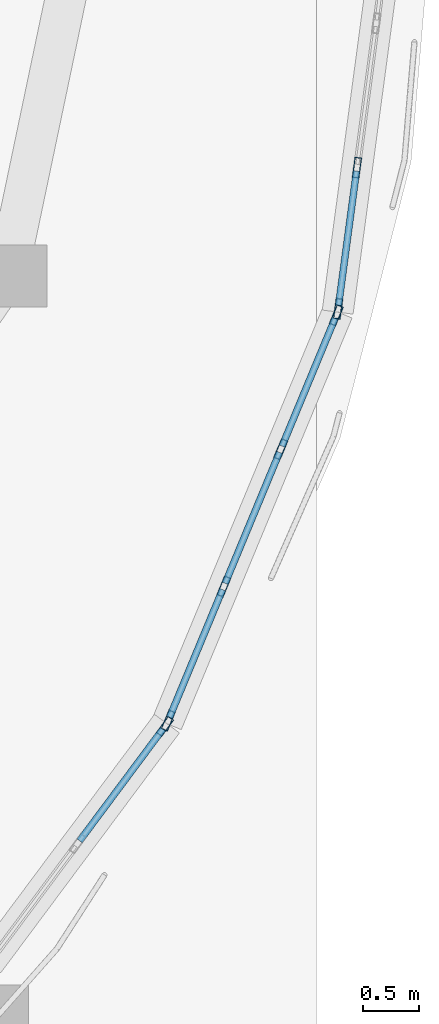
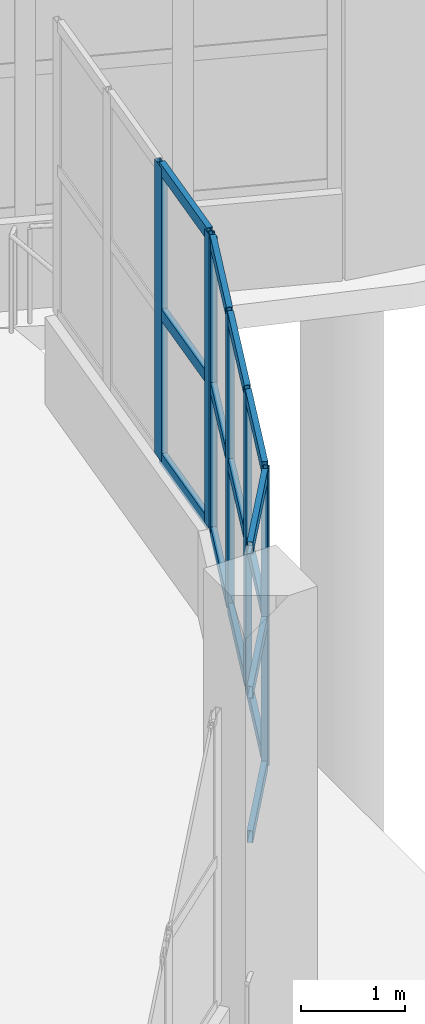
# One storey, part 22 of 96: 22 members, 3 elements without a shape of their own.
"""IFC4 building model written with IfcOpenShell, lengths in metres."""

from ifc_helpers import new_model, si_unit, direction, frame, origin, origin_2d, place, context, subcontext, project, spatial, hollow_rectangle, extrude, material, layer, layer_set, material_profile, profile_set, type_object, element, aggregate, save


model = new_model("IFC4")

# Units and contexts
model_context = context("Model", 3, precision=1e-05, world=origin(), true_north=direction((0.0, 1.0)))
body_context = subcontext(model_context, "Body", "Model", "MODEL_VIEW")
ifc_project = project(units=[si_unit("LENGTHUNIT", "METRE"), si_unit("AREAUNIT", "SQUARE_METRE"), si_unit("VOLUMEUNIT", "CUBIC_METRE"), si_unit("PLANEANGLEUNIT", "RADIAN"), si_unit("MASSUNIT", "GRAM", prefix="KILO")], contexts=[model_context])

# Site, building, storey
site_placement = place(None, origin())
site = spatial("IfcSite", under=ifc_project, at=site_placement, CompositionType="ELEMENT")
building_placement = place(site_placement, origin())
building = spatial("IfcBuilding", under=site, at=building_placement, Name="Pelvatis Terrace Science Centre", CompositionType="ELEMENT")
storey_placement = place(building_placement, origin())
storey = spatial("IfcBuildingStorey", under=building, at=storey_placement, Name="L00", CompositionType="ELEMENT", Elevation=0.0)

# Curtain wall, member
ifc_material_1 = material(Name="Bronze-anodised aluminium and laminated glass", Category="aluminium")
ifc_layer = layer(ifc_material_1, 0.179931640625)
ifc_layer_set = layer_set([ifc_layer], Name="Bronze-anodised aluminium and laminated glass")
curtain_wall_type = type_object("IfcCurtainWallType", Name="CW-RIBBON-A", PredefinedType="NOTDEFINED", material=ifc_layer_set)
curtain_wall_1_placement = place(storey_placement, origin())
curtain_wall_1 = element("IfcCurtainWall", 1, at=curtain_wall_1_placement, inside=storey, type_object=curtain_wall_type, Name="Ribbon curtain wall CW-019 (L00)", PredefinedType="NOTDEFINED")
ifc_material_2 = material(Name="Bronze-anodised aluminium 6063-T6", Category="aluminium")
ifc_material_profile_1 = material_profile(ifc_material_2, hollow_rectangle(XDim=0.06005859375, YDim=0.179931640625, WallThickness=0.00390625, at=origin_2d()), Name="ALU-MUL 60x180")
ifc_profile_set_1 = profile_set([ifc_material_profile_1], Name="Bronze-anodised aluminium 6063-T6")
member_type_1 = type_object("IfcMemberType", Name="CWM-60x180", PredefinedType="MULLION", material=ifc_profile_set_1)
member_1_placement = place(storey_placement, frame((64.0068359375, 26.69140625, 1.02001953125), z_axis=(0.0, 0.0, 1.0), x_axis=(-0.801975755954, 0.597356582672, 0.0)))
member_1 = element("IfcMember", 2, at=member_1_placement, type_object=member_type_1, Name="CW-019 mullion 3", PredefinedType="MULLION", context=body_context, shape_type="SweptSolid", body=[
    extrude(hollow_rectangle(XDim=0.06005859375, YDim=0.179931640625, WallThickness=0.00390625, at=origin_2d()), origin(), (0.0, 0.0, 1.0), 3.43994140625),
])

# Curtain wall, members
curtain_wall_2_placement = place(storey_placement, origin())
curtain_wall_2 = element("IfcCurtainWall", 3, at=curtain_wall_2_placement, inside=storey, type_object=curtain_wall_type, Name="Ribbon curtain wall CW-020 (L00)", PredefinedType="NOTDEFINED")
member_2_placement = place(storey_placement, frame((64.036376953125, 26.7431640625, 1.02001953125), z_axis=(0.0, 0.0, 1.0), x_axis=(-0.923675421158, 0.383175829546, 0.0)))
member_2 = element("IfcMember", 4, at=member_2_placement, type_object=member_type_1, Name="CW-020 mullion 1", PredefinedType="MULLION", context=body_context, shape_type="SweptSolid", body=[
    extrude(hollow_rectangle(XDim=0.06005859375, YDim=0.179931640625, WallThickness=0.00390625, at=origin_2d()), origin(), (0.0, 0.0, 1.0), 3.43994140625),
])
member_3_placement = place(storey_placement, frame((64.529052734375, 27.930908203125, 1.02001953125), z_axis=(0.0, 0.0, 1.0), x_axis=(-0.923675421158, 0.383175829546, 0.0)))
member_3 = element("IfcMember", 5, at=member_3_placement, type_object=member_type_1, Name="CW-020 mullion 2", PredefinedType="MULLION", context=body_context, shape_type="SweptSolid", body=[
    extrude(hollow_rectangle(XDim=0.06005859375, YDim=0.179931640625, WallThickness=0.00390625, at=origin_2d()), origin(), (0.0, 0.0, 1.0), 3.43994140625),
])
member_4_placement = place(storey_placement, frame((65.033203125, 29.146240234375, 1.02001953125), z_axis=(0.0, 0.0, 1.0), x_axis=(-0.923675421158, 0.383175829546, 0.0)))
member_4 = element("IfcMember", 6, at=member_4_placement, type_object=member_type_1, Name="CW-020 mullion 3", PredefinedType="MULLION", context=body_context, shape_type="SweptSolid", body=[
    extrude(hollow_rectangle(XDim=0.06005859375, YDim=0.179931640625, WallThickness=0.00390625, at=origin_2d()), origin(), (0.0, 0.0, 1.0), 3.43994140625),
])
member_5_placement = place(storey_placement, frame((65.52587890625, 30.333740234375, 1.02001953125), z_axis=(0.0, 0.0, 1.0), x_axis=(-0.923675421158, 0.383175829546, 0.0)))
member_5 = element("IfcMember", 7, at=member_5_placement, type_object=member_type_1, Name="CW-020 mullion 4", PredefinedType="MULLION", context=body_context, shape_type="SweptSolid", body=[
    extrude(hollow_rectangle(XDim=0.06005859375, YDim=0.179931640625, WallThickness=0.00390625, at=origin_2d()), origin(), (0.0, 0.0, 1.0), 3.43994140625),
])

curtain_wall_3_placement = place(storey_placement, origin())
curtain_wall_3 = element("IfcCurtainWall", 8, at=curtain_wall_3_placement, inside=storey, type_object=curtain_wall_type, Name="Ribbon curtain wall CW-021 (L00)", PredefinedType="NOTDEFINED")
member_6_placement = place(storey_placement, frame((65.541259765625, 30.391357421875, 1.02001953125), z_axis=(0.0, 0.0, 1.0), x_axis=(-0.991197428615, 0.132392059832, 0.0)))
member_6 = element("IfcMember", 9, at=member_6_placement, type_object=member_type_1, Name="CW-021 mullion 1", PredefinedType="MULLION", context=body_context, shape_type="SweptSolid", body=[
    extrude(hollow_rectangle(XDim=0.06005859375, YDim=0.179931640625, WallThickness=0.00390625, at=origin_2d()), origin(), (0.0, 0.0, 1.0), 3.43994140625),
])
member_7_placement = place(storey_placement, frame((65.708251953125, 31.64111328125, 1.02001953125), z_axis=(0.0, 0.0, 1.0), x_axis=(-0.991197428615, 0.132392059832, 0.0)))
member_7 = element("IfcMember", 10, at=member_7_placement, type_object=member_type_1, Name="CW-021 mullion 2", PredefinedType="MULLION", context=body_context, shape_type="SweptSolid", body=[
    extrude(hollow_rectangle(XDim=0.06005859375, YDim=0.179931640625, WallThickness=0.00390625, at=origin_2d()), origin(), (0.0, 0.0, 1.0), 3.43994140625),
])

# Member
ifc_material_3 = material(Name="Bronze-anodised aluminium 6063-T6", Category="aluminium")
ifc_material_profile_2 = material_profile(ifc_material_3, hollow_rectangle(XDim=0.06005859375, YDim=0.139892578125, WallThickness=0.00390625, at=origin_2d()), Name="ALU-TRN 60x140")
ifc_profile_set_2 = profile_set([ifc_material_profile_2], Name="Bronze-anodised aluminium 6063-T6")
member_type_2 = type_object("IfcMemberType", Name="CWT-60x140", PredefinedType="USERDEFINED", material=ifc_profile_set_2)
member_8_placement = place(storey_placement, frame((63.251708984375, 25.677490234375, 1.050048828125), z_axis=(0.597306750213, 0.802012871561, 0.0), x_axis=(-0.802012871561, 0.597306750213, 0.0)))
member_8 = element("IfcMember", 11, at=member_8_placement, type_object=member_type_2, Name="CW-019 transom 2.1", ObjectType="TRANSOM", PredefinedType="USERDEFINED", context=body_context, shape_type="SweptSolid", body=[
    extrude(hollow_rectangle(XDim=0.06005859375, YDim=0.139892578125, WallThickness=0.00390625, at=origin_2d()), origin(), (0.0, 0.0, 1.0), 1.234375),
])

member_9_placement = place(storey_placement, frame((63.251708984375, 25.677490234375, 2.739990234375), z_axis=(0.597306750213, 0.802012871561, 0.0), x_axis=(-0.802012871561, 0.597306750213, 0.0)))
member_9 = element("IfcMember", 12, at=member_9_placement, type_object=member_type_2, Name="CW-019 transom 2.2", ObjectType="TRANSOM", PredefinedType="USERDEFINED", context=body_context, shape_type="SweptSolid", body=[
    extrude(hollow_rectangle(XDim=0.06005859375, YDim=0.139892578125, WallThickness=0.00390625, at=origin_2d()), origin(), (0.0, 0.0, 1.0), 1.234375),
])

member_10_placement = place(storey_placement, frame((63.251708984375, 25.677490234375, 4.429931640625), z_axis=(0.597306750213, 0.802012871561, 0.0), x_axis=(-0.802012871561, 0.597306750213, 0.0)))
member_10 = element("IfcMember", 13, at=member_10_placement, type_object=member_type_2, Name="CW-019 transom 2.3", ObjectType="TRANSOM", PredefinedType="USERDEFINED", context=body_context, shape_type="SweptSolid", body=[
    extrude(hollow_rectangle(XDim=0.06005859375, YDim=0.139892578125, WallThickness=0.00390625, at=origin_2d()), origin(), (0.0, 0.0, 1.0), 1.234375),
])

aggregate(curtain_wall_1, [member_1, member_8, member_9, member_10])

member_11_placement = place(storey_placement, frame((64.0478515625, 26.77099609375, 1.050048828125), z_axis=(0.383243018728, 0.923647545656, 0.0), x_axis=(-0.923647545656, 0.383243018728, 0.0)))
member_11 = element("IfcMember", 14, at=member_11_placement, type_object=member_type_2, Name="CW-020 transom 1.1", ObjectType="TRANSOM", PredefinedType="USERDEFINED", context=body_context, shape_type="SweptSolid", body=[
    extrude(hollow_rectangle(XDim=0.06005859375, YDim=0.139892578125, WallThickness=0.00390625, at=origin_2d()), origin(), (0.0, 0.0, 1.0), 1.2255859375),
])

member_12_placement = place(storey_placement, frame((64.0478515625, 26.77099609375, 2.739990234375), z_axis=(0.383243018728, 0.923647545656, 0.0), x_axis=(-0.923647545656, 0.383243018728, 0.0)))
member_12 = element("IfcMember", 15, at=member_12_placement, type_object=member_type_2, Name="CW-020 transom 1.2", ObjectType="TRANSOM", PredefinedType="USERDEFINED", context=body_context, shape_type="SweptSolid", body=[
    extrude(hollow_rectangle(XDim=0.06005859375, YDim=0.139892578125, WallThickness=0.00390625, at=origin_2d()), origin(), (0.0, 0.0, 1.0), 1.2255859375),
])

member_13_placement = place(storey_placement, frame((64.0478515625, 26.77099609375, 4.429931640625), z_axis=(0.383243018728, 0.923647545656, 0.0), x_axis=(-0.923647545656, 0.383243018728, 0.0)))
member_13 = element("IfcMember", 16, at=member_13_placement, type_object=member_type_2, Name="CW-020 transom 1.3", ObjectType="TRANSOM", PredefinedType="USERDEFINED", context=body_context, shape_type="SweptSolid", body=[
    extrude(hollow_rectangle(XDim=0.06005859375, YDim=0.139892578125, WallThickness=0.00390625, at=origin_2d()), origin(), (0.0, 0.0, 1.0), 1.2255859375),
])

member_14_placement = place(storey_placement, frame((64.54052734375, 27.95849609375, 1.050048828125), z_axis=(0.383193048913, 0.923668277719, 0.0), x_axis=(-0.923668277719, 0.383193048913, 0.0)))
member_14 = element("IfcMember", 17, at=member_14_placement, type_object=member_type_2, Name="CW-020 transom 2.1", ObjectType="TRANSOM", PredefinedType="USERDEFINED", context=body_context, shape_type="SweptSolid", body=[
    extrude(hollow_rectangle(XDim=0.06005859375, YDim=0.139892578125, WallThickness=0.00390625, at=origin_2d()), origin(), (0.0, 0.0, 1.0), 1.255859375),
])

member_15_placement = place(storey_placement, frame((64.54052734375, 27.95849609375, 2.739990234375), z_axis=(0.383193048913, 0.923668277719, 0.0), x_axis=(-0.923668277719, 0.383193048913, 0.0)))
member_15 = element("IfcMember", 18, at=member_15_placement, type_object=member_type_2, Name="CW-020 transom 2.2", ObjectType="TRANSOM", PredefinedType="USERDEFINED", context=body_context, shape_type="SweptSolid", body=[
    extrude(hollow_rectangle(XDim=0.06005859375, YDim=0.139892578125, WallThickness=0.00390625, at=origin_2d()), origin(), (0.0, 0.0, 1.0), 1.255859375),
])

member_16_placement = place(storey_placement, frame((64.54052734375, 27.95849609375, 4.429931640625), z_axis=(0.383193048913, 0.923668277719, 0.0), x_axis=(-0.923668277719, 0.383193048913, 0.0)))
member_16 = element("IfcMember", 19, at=member_16_placement, type_object=member_type_2, Name="CW-020 transom 2.3", ObjectType="TRANSOM", PredefinedType="USERDEFINED", context=body_context, shape_type="SweptSolid", body=[
    extrude(hollow_rectangle(XDim=0.06005859375, YDim=0.139892578125, WallThickness=0.00390625, at=origin_2d()), origin(), (0.0, 0.0, 1.0), 1.255859375),
])

member_17_placement = place(storey_placement, frame((65.044677734375, 29.173828125, 1.050048828125), z_axis=(0.383172520744, 0.923676793769, 0.0), x_axis=(-0.923676793769, 0.383172520744, 0.0)))
member_17 = element("IfcMember", 20, at=member_17_placement, type_object=member_type_2, Name="CW-020 transom 3.1", ObjectType="TRANSOM", PredefinedType="USERDEFINED", context=body_context, shape_type="SweptSolid", body=[
    extrude(hollow_rectangle(XDim=0.06005859375, YDim=0.139892578125, WallThickness=0.00390625, at=origin_2d()), origin(), (0.0, 0.0, 1.0), 1.225830078125),
])

member_18_placement = place(storey_placement, frame((65.044677734375, 29.173828125, 2.739990234375), z_axis=(0.383172520744, 0.923676793769, 0.0), x_axis=(-0.923676793769, 0.383172520744, 0.0)))
member_18 = element("IfcMember", 21, at=member_18_placement, type_object=member_type_2, Name="CW-020 transom 3.2", ObjectType="TRANSOM", PredefinedType="USERDEFINED", context=body_context, shape_type="SweptSolid", body=[
    extrude(hollow_rectangle(XDim=0.06005859375, YDim=0.139892578125, WallThickness=0.00390625, at=origin_2d()), origin(), (0.0, 0.0, 1.0), 1.225830078125),
])

member_19_placement = place(storey_placement, frame((65.044677734375, 29.173828125, 4.429931640625), z_axis=(0.383172520744, 0.923676793769, 0.0), x_axis=(-0.923676793769, 0.383172520744, 0.0)))
member_19 = element("IfcMember", 22, at=member_19_placement, type_object=member_type_2, Name="CW-020 transom 3.3", ObjectType="TRANSOM", PredefinedType="USERDEFINED", context=body_context, shape_type="SweptSolid", body=[
    extrude(hollow_rectangle(XDim=0.06005859375, YDim=0.139892578125, WallThickness=0.00390625, at=origin_2d()), origin(), (0.0, 0.0, 1.0), 1.225830078125),
])

aggregate(curtain_wall_2, [member_2, member_3, member_4, member_5, member_11, member_12, member_13, member_14, member_15, member_16, member_17, member_18, member_19])

member_20_placement = place(storey_placement, frame((65.545166015625, 30.4208984375, 1.050048828125), z_axis=(0.132536532988, 0.991178120937, 0.0), x_axis=(-0.991178120937, 0.132536532988, 0.0)))
member_20 = element("IfcMember", 23, at=member_20_placement, type_object=member_type_2, Name="CW-021 transom 1.1", ObjectType="TRANSOM", PredefinedType="USERDEFINED", context=body_context, shape_type="SweptSolid", body=[
    extrude(hollow_rectangle(XDim=0.06005859375, YDim=0.139892578125, WallThickness=0.00390625, at=origin_2d()), origin(), (0.0, 0.0, 1.0), 1.200927734375),
])

member_21_placement = place(storey_placement, frame((65.545166015625, 30.4208984375, 2.739990234375), z_axis=(0.132536532988, 0.991178120937, 0.0), x_axis=(-0.991178120937, 0.132536532988, 0.0)))
member_21 = element("IfcMember", 24, at=member_21_placement, type_object=member_type_2, Name="CW-021 transom 1.2", ObjectType="TRANSOM", PredefinedType="USERDEFINED", context=body_context, shape_type="SweptSolid", body=[
    extrude(hollow_rectangle(XDim=0.06005859375, YDim=0.139892578125, WallThickness=0.00390625, at=origin_2d()), origin(), (0.0, 0.0, 1.0), 1.200927734375),
])

member_22_placement = place(storey_placement, frame((65.545166015625, 30.4208984375, 4.429931640625), z_axis=(0.132536532988, 0.991178120937, 0.0), x_axis=(-0.991178120937, 0.132536532988, 0.0)))
member_22 = element("IfcMember", 25, at=member_22_placement, type_object=member_type_2, Name="CW-021 transom 1.3", ObjectType="TRANSOM", PredefinedType="USERDEFINED", context=body_context, shape_type="SweptSolid", body=[
    extrude(hollow_rectangle(XDim=0.06005859375, YDim=0.139892578125, WallThickness=0.00390625, at=origin_2d()), origin(), (0.0, 0.0, 1.0), 1.200927734375),
])

aggregate(curtain_wall_3, [member_6, member_7, member_20, member_21, member_22])

save(model, "model.ifc")
